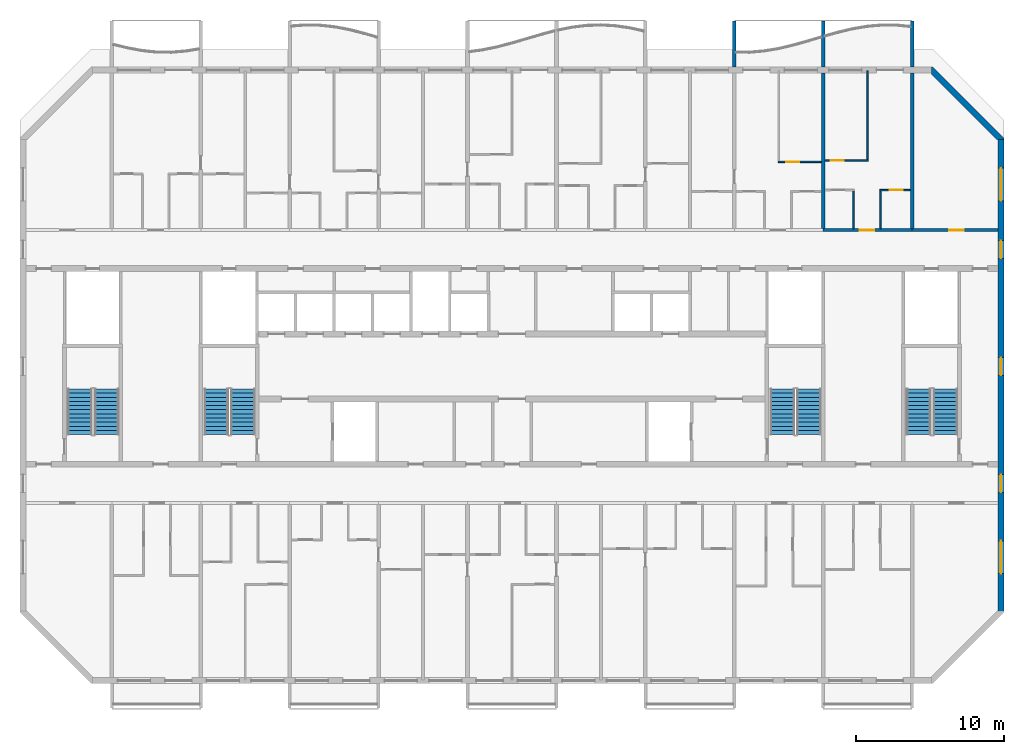
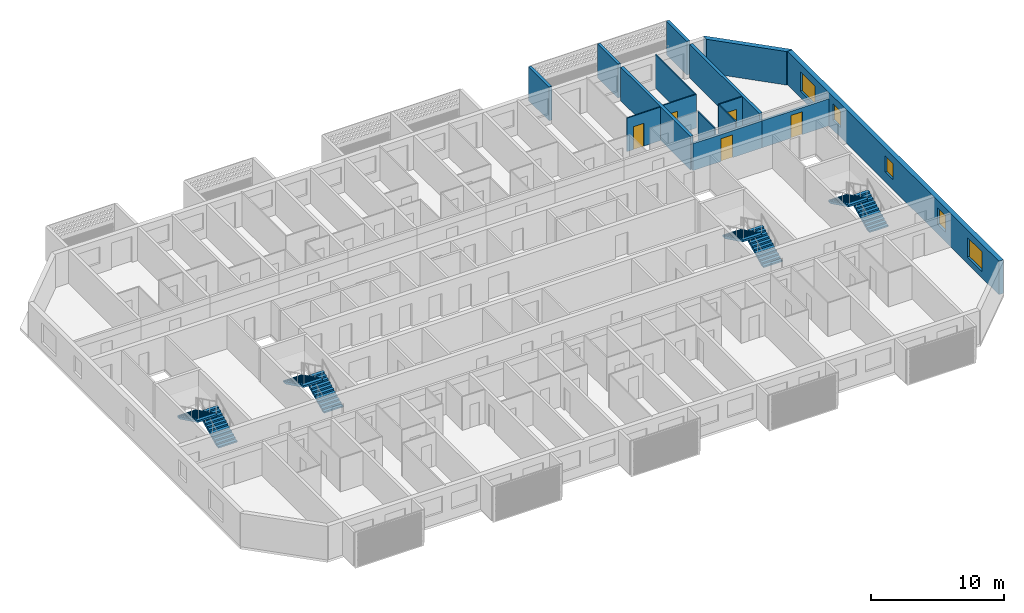
# One storey, part 11 of 26: 15 walls, 8 stair flights, 5 doors, 5 windows, 10 openings, 4 elements without a shape of their own.
"""IFC4 building model written with IfcOpenShell, lengths in metres."""

import ifcopenshell
import ifcopenshell.guid

model = None  # the IFC model being written
_history = None  # IfcOwnerHistory: only IFC2X3 demands one
_inside = {}  # id of a spatial element -> (the spatial element, [elements in it])
_under = {}  # id of a project, library or spatial element -> (it, [spatial elements below it])
_declared = {}  # id of a project -> (the project, [libraries it declares])
_typed = {}  # id of a type object -> (the type object, [elements of that type])
_made_of = {}  # id of a material, layer set ... -> (it, [elements and type objects made of it])


def new_model(schema):
    """Start an empty IFC model of exactly this schema.

    Asked for "IFC4X3", IfcOpenShell would pick the latest addendum, in which some entities
    have other attributes; the version numbers below select the first issue.
    IFC2X3 requires an IfcOwnerHistory on every rooted entity: one is made here for all.
    """
    global model, _history
    if schema == "IFC4X3":
        model = ifcopenshell.file(schema_version=(4, 3, 0, 0))
    else:
        model = ifcopenshell.file(schema=schema)
    _inside.clear()
    _under.clear()
    _declared.clear()
    _typed.clear()
    _made_of.clear()
    _history = None
    if model.schema == "IFC2X3":
        org = make("IfcOrganization", Name="unknown")
        user = make(
            "IfcPersonAndOrganization",
            ThePerson=make("IfcPerson", FamilyName="unknown"),
            TheOrganization=org,
        )
        app = make(
            "IfcApplication",
            ApplicationDeveloper=org,
            Version="unknown",
            ApplicationFullName="unknown",
            ApplicationIdentifier="unknown",
        )
        _history = make(
            "IfcOwnerHistory",
            OwningUser=user,
            OwningApplication=app,
            ChangeAction="ADDED",
            CreationDate=0,
        )
    return model


def make(cls, **values):
    """One entity of the class cls with the attributes given. An attribute that is None is left unset."""
    return model.create_entity(
        cls, **{name: value for name, value in values.items() if value is not None}
    )


def rooted(cls, **values):
    """An entity with a GlobalId (a new one), such as an element, a storey or a relation."""
    return make(cls, GlobalId=ifcopenshell.guid.new(), OwnerHistory=_history, **values)


def si_unit(unit_type, name, prefix=None):
    """IfcSIUnit, for example si_unit("LENGTHUNIT", "METRE", prefix="MILLI")."""
    return make("IfcSIUnit", UnitType=unit_type, Prefix=prefix, Name=name)


def assignment(units):
    """IfcUnitAssignment: the units of a project."""
    return None if units is None else make("IfcUnitAssignment", Units=units)


def point(xyz):
    """IfcCartesianPoint."""
    return None if xyz is None else make("IfcCartesianPoint", Coordinates=xyz)


def direction(xyz):
    """IfcDirection."""
    return None if xyz is None else make("IfcDirection", DirectionRatios=xyz)


def frame(location, z_axis=None, x_axis=None):
    """IfcAxis2Placement3D, a coordinate frame: its origin and axes. An axis left out is left unset."""
    return make(
        "IfcAxis2Placement3D",
        Location=point(location),
        Axis=direction(z_axis),
        RefDirection=direction(x_axis),
    )


def frame_2d(location, x_axis=None):
    """IfcAxis2Placement2D, a coordinate frame in the plane: its origin and x axis."""
    return make(
        "IfcAxis2Placement2D", Location=point(location), RefDirection=direction(x_axis)
    )


def origin():
    """The frame at (0, 0, 0) with its axes left unset."""
    return frame((0.0, 0.0, 0.0))


def place(relative_to, where):
    """IfcLocalPlacement: puts the frame where relative to a parent placement (None: the world)."""
    return make(
        "IfcLocalPlacement", PlacementRelTo=relative_to, RelativePlacement=where
    )


def context(
    kind, dimensions, precision=None, world=None, true_north=None, identifier=None
):
    """IfcGeometricRepresentationContext, for example the 3D "Model" context."""
    return make(
        "IfcGeometricRepresentationContext",
        ContextIdentifier=identifier,
        ContextType=kind,
        CoordinateSpaceDimension=dimensions,
        Precision=precision,
        WorldCoordinateSystem=world,
        TrueNorth=true_north,
    )


def subcontext(parent, identifier, kind, view, scale=None):
    """IfcGeometricRepresentationSubContext, for example "Body" below "Model"."""
    return make(
        "IfcGeometricRepresentationSubContext",
        ContextIdentifier=identifier,
        ContextType=kind,
        ParentContext=parent,
        TargetScale=scale,
        TargetView=view,
    )


def project(units=None, contexts=None):
    """IfcProject with its units and contexts."""
    return rooted(
        "IfcProject",
        Name="project",
        RepresentationContexts=contexts,
        UnitsInContext=assignment(units),
    )


def spatial(cls, under=None, at=None, **own):
    """A site, building, storey or space (cls), placed at a placement, below another one or the project."""
    s = rooted(cls, ObjectPlacement=at, **own)
    if under is not None:
        _under.setdefault(under.id(), (under, []))[1].append(s)
    return s


def polyline(points):
    """IfcPolyline through the points."""
    return make("IfcPolyline", Points=[point(p) for p in points])


def profile(cls, at=None, kind="AREA", **sizes):
    """A parametric profile (cls). Its sizes go by their IFC names, for example OverallWidth=200.0."""
    return make(cls, ProfileType=kind, Position=at, **sizes)


def rectangle(**sizes):
    """IfcRectangleProfileDef."""
    return profile("IfcRectangleProfileDef", **sizes)


def outline(outer, holes=None, kind="AREA"):
    """IfcArbitraryClosedProfileDef: a profile drawn as a closed curve; with holes, ...WithVoids."""
    if holes is None:
        return make("IfcArbitraryClosedProfileDef", ProfileType=kind, OuterCurve=outer)
    return make(
        "IfcArbitraryProfileDefWithVoids",
        ProfileType=kind,
        OuterCurve=outer,
        InnerCurves=holes,
    )


def extrude(swept, where, along, depth):
    """IfcExtrudedAreaSolid: the profile swept, set in the frame where, extruded along a direction by depth."""
    return make(
        "IfcExtrudedAreaSolid",
        SweptArea=swept,
        Position=where,
        ExtrudedDirection=direction(along),
        Depth=depth,
    )


def shape(context_of_items, identifier, shape_type, items):
    """IfcShapeRepresentation: the items that make up one representation, for example the "Body"."""
    return make(
        "IfcShapeRepresentation",
        ContextOfItems=context_of_items,
        RepresentationIdentifier=identifier,
        RepresentationType=shape_type,
        Items=items,
    )


def source(mapping_origin, context_of_items, identifier, shape_type, items):
    """IfcRepresentationMap: a shape defined once, which mapped items show again and again."""
    return make(
        "IfcRepresentationMap",
        MappingOrigin=mapping_origin,
        MappedRepresentation=shape(context_of_items, identifier, shape_type, items),
    )


def transform(
    local_origin,
    x_axis=None,
    y_axis=None,
    z_axis=None,
    scale=None,
    scale2=None,
    scale3=None,
    uniform=True,
):
    """IfcCartesianTransformationOperator3D, or its non-uniform kind. x_axis, y_axis, z_axis: its Axis1, 2, 3."""
    if uniform:
        return make(
            "IfcCartesianTransformationOperator3D",
            Axis1=direction(x_axis),
            Axis2=direction(y_axis),
            LocalOrigin=point(local_origin),
            Scale=scale,
            Axis3=direction(z_axis),
        )
    return make(
        "IfcCartesianTransformationOperator3DnonUniform",
        Axis1=direction(x_axis),
        Axis2=direction(y_axis),
        LocalOrigin=point(local_origin),
        Scale=scale,
        Axis3=direction(z_axis),
        Scale2=scale2,
        Scale3=scale3,
    )


def mapped(mapping_source, mapping_target):
    """IfcMappedItem: shows the shape of a source again, moved by a transform."""
    return make(
        "IfcMappedItem", MappingSource=mapping_source, MappingTarget=mapping_target
    )


def material(Name=None, Category=None):
    """IfcMaterial."""
    return make("IfcMaterial", Name=Name, Category=Category)


def layer(
    of_material, thickness, ventilated=None, Name=None, Category=None, Priority=None
):
    """IfcMaterialLayer: one layer of a wall or slab, of a material (None: an air gap)."""
    return make(
        "IfcMaterialLayer",
        Material=of_material,
        LayerThickness=thickness,
        IsVentilated=ventilated,
        Name=Name,
        Category=Category,
        Priority=Priority,
    )


def layer_set(layers, Name=None):
    """IfcMaterialLayerSet."""
    return make("IfcMaterialLayerSet", MaterialLayers=layers, LayerSetName=Name)


def made_of(thing, what):
    """Note that an element or type object is made of a material, layer set ...; save() writes the relation."""
    if what is not None:
        _made_of.setdefault(what.id(), (what, []))[1].append(thing)
    return thing


def type_object(cls, material=None, **own):
    """A type object (cls), such as IfcWallType, which elements share."""
    return made_of(rooted(cls, **own), material)


def element(
    cls,
    number,
    at=None,
    inside=None,
    cuts=None,
    type_object=None,
    material=None,
    context=None,
    identifier="Body",
    shape_type=None,
    held_by="IfcProductDefinitionShape",
    body=None,
    shapes=None,
    **own,
):
    """One element of the class cls, such as IfcWall. Its Tag is "e" and its number.

    at: its placement. inside: the storey or other place that contains it. cuts: it is an
    opening in that element (IfcRelVoidsElement). A single representation is given by context,
    identifier, shape_type and body (its items); several are given by shapes. held_by: the class
    of the entity that holds the representations. save() writes the other relations.
    """
    e = rooted(cls, Tag="e%d" % number, ObjectPlacement=at, **own)
    if body is not None:
        shapes = [shape(context, identifier, shape_type, body)]
    if shapes is not None:
        e.Representation = make(held_by, Representations=shapes)
    if inside is not None:
        _inside.setdefault(inside.id(), (inside, []))[1].append(e)
    if cuts is not None:
        rooted(
            "IfcRelVoidsElement", RelatingBuildingElement=cuts, RelatedOpeningElement=e
        )
    if type_object is not None:
        _typed.setdefault(type_object.id(), (type_object, []))[1].append(e)
    return made_of(e, material)


def fill(opening, filler):
    """IfcRelFillsElement: the door or window that sits in an opening."""
    return rooted(
        "IfcRelFillsElement",
        RelatingOpeningElement=opening,
        RelatedBuildingElement=filler,
    )


def aggregate(whole, parts):
    """IfcRelAggregates: a whole, such as a stair, and the parts it consists of."""
    return rooted("IfcRelAggregates", RelatingObject=whole, RelatedObjects=parts)


def save(model, path):
    """Write the relations noted so far, then the file.

    IfcRelAggregates (storeys below a building ...), IfcRelContainedInSpatialStructure (elements
    in a storey), IfcRelDefinesByType, IfcRelAssociatesMaterial and IfcRelDeclares: one each for
    every whole, place, type object, material and project.
    """
    for whole, parts in _under.values():
        aggregate(whole, parts)
    for where, things in _inside.values():
        rooted(
            "IfcRelContainedInSpatialStructure",
            RelatedElements=things,
            RelatingStructure=where,
        )
    for kind, things in _typed.values():
        rooted("IfcRelDefinesByType", RelatedObjects=things, RelatingType=kind)
    for what, things in _made_of.values():
        rooted("IfcRelAssociatesMaterial", RelatedObjects=things, RelatingMaterial=what)
    for by, libraries in _declared.values():
        rooted("IfcRelDeclares", RelatingContext=by, RelatedDefinitions=libraries)
    model.write(path)


model = new_model("IFC4")

# Units and contexts
model_context = context("Model", 3, precision=1e-05, world=origin(), true_north=direction((0.0, 1.0)))
body_context = subcontext(model_context, "Body", "Model", "MODEL_VIEW")
ifc_project = project(units=[si_unit("LENGTHUNIT", "METRE"), si_unit("AREAUNIT", "SQUARE_METRE"), si_unit("VOLUMEUNIT", "CUBIC_METRE"), si_unit("PLANEANGLEUNIT", "RADIAN"), si_unit("MASSUNIT", "GRAM", prefix="KILO")], contexts=[model_context])

# Site, building, storey
site_placement = place(None, origin())
site = spatial("IfcSite", under=ifc_project, at=site_placement, CompositionType="ELEMENT")
building_placement = place(site_placement, origin())
building = spatial("IfcBuilding", under=site, at=building_placement, Name="Poui Terraces", CompositionType="ELEMENT")
storey_placement = place(building_placement, frame((0.0, 0.0, 171.89990234375)))
storey = spatial("IfcBuildingStorey", under=building, at=storey_placement, Name="L47", CompositionType="ELEMENT", Elevation=171.89990234375)

# Wall, opening, door
ifc_material_1 = material(Name="Concrete 50 MPa", Category="concrete")
ifc_layer_1 = layer(ifc_material_1, 0.199951171875)
ifc_layer_set_1 = layer_set([ifc_layer_1], Name="Concrete 50 MPa")
wall_type_1 = type_object("IfcWallType", Name="CORRIDOR WALL 200 50MPa", PredefinedType="SHEAR", material=ifc_layer_set_1)
wall_1_placement = place(storey_placement, frame((72.0, 30.39990234375, 0.0), z_axis=(0.0, 0.0, 1.0), x_axis=(1.0, 0.0, 0.0)))
wall_1 = element("IfcWall", 1, at=wall_1_placement, inside=storey, type_object=wall_type_1, Name="CORRIDOR WALL LINE E BAY 10", PredefinedType="SHEAR", context=body_context, shape_type="SweptSolid", body=[
    extrude(rectangle(XDim=6.0, YDim=0.199951171875, at=frame_2d((3.0, 0.0))), origin(), (0.0, 0.0, 1.0), 2.47998046875),
])
opening_1_placement = place(wall_1_placement, frame((2.449951171875, 0.0, 0.0)))
opening_1 = element("IfcOpeningElement", 2, at=opening_1_placement, cuts=wall_1, Name="Opening FD30S", PredefinedType="OPENING", context=body_context, shape_type="SweptSolid", body=[
    extrude(rectangle(XDim=1.0, YDim=2.10009765625, at=frame_2d((0.5, 1.050048828125))), frame((0.0, 0.10986328125, 0.0), z_axis=(0.0, -1.0, 0.0), x_axis=(1.0, 0.0, 0.0)), (0.0, 0.0, 1.0), 0.219970703125),
])
ifc_material_2 = material(Name="Steel fire door", Category="steel")
door_type_1 = type_object("IfcDoorType", Name="FLAT ENTRANCE DOOR 1000 X 2100", OperationType="NOTDEFINED", PredefinedType="DOOR", material=ifc_material_2)
door_1_placement = place(opening_1_placement, origin())
door_1 = element("IfcDoor", 3, at=door_1_placement, inside=storey, type_object=door_type_1, Name="FLAT ENTRANCE DOOR 059", OperationType="SINGLE_SWING_LEFT", OverallHeight=2.10009765625, OverallWidth=1.0, PredefinedType="DOOR", context=body_context, shape_type="SweptSolid", body=[
    extrude(rectangle(XDim=1.0, YDim=2.10009765625, at=frame_2d((0.5, 1.050048828125))), frame((0.0, 0.02490234375, 0.0), z_axis=(0.0, -1.0, 0.0), x_axis=(1.0, 0.0, 0.0)), (0.0, 0.0, 1.0), 0.050048828125),
])
fill(opening_1, door_1)

wall_2_placement = place(storey_placement, frame((78.0, 30.39990234375, 0.0), z_axis=(0.0, 0.0, 1.0), x_axis=(1.0, 0.0, 0.0)))
wall_2 = element("IfcWall", 4, at=wall_2_placement, inside=storey, type_object=wall_type_1, Name="CORRIDOR WALL LINE E BAY 11", PredefinedType="SHEAR", context=body_context, shape_type="SweptSolid", body=[
    extrude(rectangle(XDim=5.800048828125, YDim=0.199951171875, at=frame_2d((2.89990234375, 0.0))), origin(), (0.0, 0.0, 1.0), 2.47998046875),
])
opening_2_placement = place(wall_2_placement, frame((2.5, 0.0, 0.0)))
opening_2 = element("IfcOpeningElement", 5, at=opening_2_placement, cuts=wall_2, Name="Opening D100", PredefinedType="OPENING", context=body_context, shape_type="SweptSolid", body=[
    extrude(rectangle(XDim=1.0, YDim=2.10009765625, at=frame_2d((0.5, 1.050048828125))), frame((0.0, 0.10986328125, 0.0), z_axis=(0.0, -1.0, 0.0), x_axis=(1.0, 0.0, 0.0)), (0.0, 0.0, 1.0), 0.219970703125),
])
ifc_material_3 = material(Name="Solid core timber door", Category="wood")
door_type_2 = type_object("IfcDoorType", Name="ACCESSIBLE INTERNAL DOOR 1000 X 2100", OperationType="NOTDEFINED", PredefinedType="DOOR", material=ifc_material_3)
door_2_placement = place(opening_2_placement, origin())
door_2 = element("IfcDoor", 6, at=door_2_placement, inside=storey, type_object=door_type_2, Name="ACCESSIBLE INTERNAL DOOR 061", OperationType="SINGLE_SWING_LEFT", OverallHeight=2.10009765625, OverallWidth=1.0, PredefinedType="DOOR", context=body_context, shape_type="SweptSolid", body=[
    extrude(rectangle(XDim=1.0, YDim=2.10009765625, at=frame_2d((0.5, 1.050048828125))), frame((0.0, 0.02490234375, 0.0), z_axis=(0.0, -1.0, 0.0), x_axis=(1.0, 0.0, 0.0)), (0.0, 0.0, 1.0), 0.050048828125),
])
fill(opening_2, door_2)

# Walls
ifc_layer_2 = layer(ifc_material_1, 0.25)
ifc_layer_set_2 = layer_set([ifc_layer_2], Name="Concrete 50 MPa")
wall_type_2 = type_object("IfcWallType", Name="CROSS WALL 250 50MPa", PredefinedType="SHEAR", material=ifc_layer_set_2)
for number, where, z_axis, x_axis, name in (
    (7, (72.0, 30.5, 0.0), (0.0, 0.0, 1.0), (0.0, 1.0, 0.0), "CROSS WALL LINE 13 NORTH"),
    (8, (78.0, 30.5, 0.0), (0.0, 0.0, 1.0), (0.0, 1.0, 0.0), "CROSS WALL LINE 14 NORTH"),
):
    element("IfcWall", number, at=place(storey_placement, frame(where, z_axis=z_axis, x_axis=x_axis)), inside=storey, type_object=wall_type_2, Name=name, PredefinedType="SHEAR", context=body_context, shape_type="SweptSolid", body=[
        extrude(rectangle(XDim=10.5, YDim=0.25, at=frame_2d((5.25, 0.0))), origin(), (0.0, 0.0, 1.0), 3.080078125),
    ])

# Wall, openings, windows
ifc_layer_3 = layer(ifc_material_1, 0.39990234375)
ifc_layer_set_3 = layer_set([ifc_layer_3], Name="Concrete 50 MPa")
wall_type_3 = type_object("IfcWallType", Name="END WALL 400 50MPa", PredefinedType="SHEAR", material=ifc_layer_set_3)
wall_3_placement = place(storey_placement, frame((84.0, 4.682861328125, 0.0), z_axis=(0.0, 0.0, 1.0), x_axis=(0.0, 1.0, 0.0)))
wall_3 = element("IfcWall", 9, at=wall_3_placement, inside=storey, type_object=wall_type_3, Name="END WALL EAST", PredefinedType="SHEAR", context=body_context, shape_type="SweptSolid", body=[
    extrude(rectangle(XDim=31.834228515625, YDim=0.39990234375, at=frame_2d((15.9169921875, 0.0))), origin(), (0.0, 0.0, 1.0), 3.080078125),
])
opening_3_placement = place(wall_3_placement, frame((23.817138671875, 0.0, 0.89990234375)))
opening_3 = element("IfcOpeningElement", 10, at=opening_3_placement, cuts=wall_3, Name="Opening W2", PredefinedType="OPENING", context=body_context, shape_type="SweptSolid", body=[
    extrude(rectangle(XDim=1.199951171875, YDim=1.5, at=frame_2d((0.60009765625, 0.75))), frame((0.0, 0.2099609375, 0.0), z_axis=(0.0, -1.0, 0.0), x_axis=(1.0, 0.0, 0.0)), (0.0, 0.0, 1.0), 0.419921875),
])
opening_4_placement = place(wall_3_placement, frame((8.01708984375, 0.0, 0.89990234375)))
opening_4 = element("IfcOpeningElement", 11, at=opening_4_placement, cuts=wall_3, Name="Opening W2", PredefinedType="OPENING", context=body_context, shape_type="SweptSolid", body=[
    extrude(rectangle(XDim=1.199951171875, YDim=1.5, at=frame_2d((0.60009765625, 0.75))), frame((0.0, 0.2099609375, 0.0), z_axis=(0.0, -1.0, 0.0), x_axis=(1.0, 0.0, 0.0)), (0.0, 0.0, 1.0), 0.419921875),
])
opening_5_placement = place(wall_3_placement, frame((27.693603515625, 0.0, 0.60009765625)))
opening_5 = element("IfcOpeningElement", 12, at=opening_5_placement, cuts=wall_3, Name="Opening W3", PredefinedType="OPENING", context=body_context, shape_type="SweptSolid", body=[
    extrude(rectangle(XDim=2.199951171875, YDim=1.800048828125, at=frame_2d((1.10009765625, 0.89990234375))), frame((0.0, 0.2099609375, 0.0), z_axis=(0.0, -1.0, 0.0), x_axis=(1.0, 0.0, 0.0)), (0.0, 0.0, 1.0), 0.419921875),
])
opening_6_placement = place(wall_3_placement, frame((2.541015625, 0.0, 0.60009765625)))
opening_6 = element("IfcOpeningElement", 13, at=opening_6_placement, cuts=wall_3, Name="Opening W3", PredefinedType="OPENING", context=body_context, shape_type="SweptSolid", body=[
    extrude(rectangle(XDim=2.199951171875, YDim=1.800048828125, at=frame_2d((1.10009765625, 0.89990234375))), frame((0.0, 0.2099609375, 0.0), z_axis=(0.0, -1.0, 0.0), x_axis=(1.0, 0.0, 0.0)), (0.0, 0.0, 1.0), 0.419921875),
])
opening_7_placement = place(wall_3_placement, frame((15.917236328125, 0.0, 0.89990234375)))
opening_7 = element("IfcOpeningElement", 14, at=opening_7_placement, cuts=wall_3, Name="Opening W2", PredefinedType="OPENING", context=body_context, shape_type="SweptSolid", body=[
    extrude(rectangle(XDim=1.199951171875, YDim=1.5, at=frame_2d((0.60009765625, 0.75))), frame((0.0, 0.2099609375, 0.0), z_axis=(0.0, -1.0, 0.0), x_axis=(1.0, 0.0, 0.0)), (0.0, 0.0, 1.0), 0.419921875),
])
ifc_material_4 = material(Name="Clear glass in aluminium frame", Category="aluminium")
window_type_1 = type_object("IfcWindowType", Name="WINDOW 1200X1500", PartitioningType="SINGLE_PANEL", PredefinedType="WINDOW", material=ifc_material_4)
window_1_placement = place(opening_3_placement, origin())
window_1 = element("IfcWindow", 15, at=window_1_placement, inside=storey, type_object=window_type_1, Name="W2 WINDOW", OverallHeight=1.5, OverallWidth=1.199951171875, PartitioningType="SINGLE_PANEL", PredefinedType="WINDOW", context=body_context, shape_type="SweptSolid", body=[
    extrude(rectangle(XDim=1.199951171875, YDim=1.5, at=frame_2d((0.60009765625, 0.75))), frame((0.0, 0.030029296875, 0.0), z_axis=(0.0, -1.0, 0.0), x_axis=(1.0, 0.0, 0.0)), (0.0, 0.0, 1.0), 0.06005859375),
])
fill(opening_3, window_1)
window_2_placement = place(opening_4_placement, origin())
window_2 = element("IfcWindow", 16, at=window_2_placement, inside=storey, type_object=window_type_1, Name="W2 WINDOW", OverallHeight=1.5, OverallWidth=1.199951171875, PartitioningType="SINGLE_PANEL", PredefinedType="WINDOW", context=body_context, shape_type="SweptSolid", body=[
    extrude(rectangle(XDim=1.199951171875, YDim=1.5, at=frame_2d((0.60009765625, 0.75))), frame((0.0, 0.030029296875, 0.0), z_axis=(0.0, -1.0, 0.0), x_axis=(1.0, 0.0, 0.0)), (0.0, 0.0, 1.0), 0.06005859375),
])
fill(opening_4, window_2)
window_3_placement = place(opening_7_placement, origin())
window_3 = element("IfcWindow", 17, at=window_3_placement, inside=storey, type_object=window_type_1, Name="W2 WINDOW", OverallHeight=1.5, OverallWidth=1.199951171875, PartitioningType="SINGLE_PANEL", PredefinedType="WINDOW", context=body_context, shape_type="SweptSolid", body=[
    extrude(rectangle(XDim=1.199951171875, YDim=1.5, at=frame_2d((0.60009765625, 0.75))), frame((0.0, 0.030029296875, 0.0), z_axis=(0.0, -1.0, 0.0), x_axis=(1.0, 0.0, 0.0)), (0.0, 0.0, 1.0), 0.06005859375),
])
fill(opening_7, window_3)
window_type_2 = type_object("IfcWindowType", Name="WINDOW 2200X1800", PartitioningType="DOUBLE_PANEL_HORIZONTAL", PredefinedType="WINDOW", material=ifc_material_4)
window_4_placement = place(opening_5_placement, origin())
window_4 = element("IfcWindow", 18, at=window_4_placement, inside=storey, type_object=window_type_2, Name="W3 WINDOW", OverallHeight=1.800048828125, OverallWidth=2.199951171875, PartitioningType="DOUBLE_PANEL_HORIZONTAL", PredefinedType="WINDOW", context=body_context, shape_type="SweptSolid", body=[
    extrude(rectangle(XDim=2.199951171875, YDim=1.800048828125, at=frame_2d((1.10009765625, 0.89990234375))), frame((0.0, 0.030029296875, 0.0), z_axis=(0.0, -1.0, 0.0), x_axis=(1.0, 0.0, 0.0)), (0.0, 0.0, 1.0), 0.06005859375),
])
fill(opening_5, window_4)
window_5_placement = place(opening_6_placement, origin())
window_5 = element("IfcWindow", 19, at=window_5_placement, inside=storey, type_object=window_type_2, Name="W3 WINDOW", OverallHeight=1.800048828125, OverallWidth=2.199951171875, PartitioningType="DOUBLE_PANEL_HORIZONTAL", PredefinedType="WINDOW", context=body_context, shape_type="SweptSolid", body=[
    extrude(rectangle(XDim=2.199951171875, YDim=1.800048828125, at=frame_2d((1.10009765625, 0.89990234375))), frame((0.0, 0.030029296875, 0.0), z_axis=(0.0, -1.0, 0.0), x_axis=(1.0, 0.0, 0.0)), (0.0, 0.0, 1.0), 0.06005859375),
])
fill(opening_6, window_5)

# Wall, opening, door
ifc_material_5 = material(Name="Plasterboard partition")
ifc_layer_4 = layer(ifc_material_5, 0.10009765625)
ifc_layer_set_4 = layer_set([ifc_layer_4], Name="Plasterboard partition")
wall_type_4 = type_object("IfcWallType", Name="FLAT PARTITION 100", PredefinedType="PARTITIONING", material=ifc_layer_set_4)
wall_4_placement = place(storey_placement, frame((75.800048828125, 33.10009765625, 0.0), z_axis=(0.0, 0.0, 1.0), x_axis=(1.0, 0.0, 0.0)))
wall_4 = element("IfcWall", 20, at=wall_4_placement, inside=storey, type_object=wall_type_4, Name="FLAT PARTITION 100", PredefinedType="PARTITIONING", context=body_context, shape_type="SweptSolid", body=[
    extrude(rectangle(XDim=2.06494140625, YDim=0.10009765625, at=frame_2d((1.032470703125, 0.0))), origin(), (0.0, 0.0, 1.0), 3.080078125),
])
opening_8_placement = place(wall_4_placement, frame((0.675048828125, 0.0, 0.0)))
opening_8 = element("IfcOpeningElement", 21, at=opening_8_placement, cuts=wall_4, Name="Opening D90", PredefinedType="OPENING", context=body_context, shape_type="SweptSolid", body=[
    extrude(rectangle(XDim=0.89990234375, YDim=2.10009765625, at=frame_2d((0.449951171875, 1.050048828125))), frame((0.0, 0.06005859375, 0.0), z_axis=(0.0, -1.0, 0.0), x_axis=(1.0, 0.0, 0.0)), (0.0, 0.0, 1.0), 0.1201171875),
])
door_type_3 = type_object("IfcDoorType", Name="INTERNAL DOOR 900 X 2100", OperationType="NOTDEFINED", PredefinedType="DOOR", material=ifc_material_3)
door_3_placement = place(opening_8_placement, frame((0.89990234375, 0.0, 0.0), z_axis=(0.0, 0.0, 1.0), x_axis=(-1.0, 0.0, 0.0)))
door_3 = element("IfcDoor", 22, at=door_3_placement, inside=storey, type_object=door_type_3, Name="INTERNAL DOOR 060", OperationType="SINGLE_SWING_LEFT", OverallHeight=2.10009765625, OverallWidth=0.89990234375, PredefinedType="DOOR", context=body_context, shape_type="SweptSolid", body=[
    extrude(rectangle(XDim=0.89990234375, YDim=2.10009765625, at=frame_2d((0.449951171875, 1.050048828125))), frame((0.0, 0.02490234375, 0.0), z_axis=(0.0, -1.0, 0.0), x_axis=(1.0, 0.0, 0.0)), (0.0, 0.0, 1.0), 0.050048828125),
])
fill(opening_8, door_3)

wall_5_placement = place(storey_placement, frame((68.949951171875, 35.0, 0.0), z_axis=(0.0, 0.0, 1.0), x_axis=(1.0, 0.0, 0.0)))
wall_5 = element("IfcWall", 23, at=wall_5_placement, inside=storey, type_object=wall_type_4, Name="FLAT PARTITION 100", PredefinedType="PARTITIONING", context=body_context, shape_type="SweptSolid", body=[
    extrude(rectangle(XDim=2.9150390625, YDim=0.10009765625, at=frame_2d((1.45751953125, 0.0))), origin(), (0.0, 0.0, 1.0), 3.080078125),
])
opening_9_placement = place(wall_5_placement, frame((0.550048828125, 0.0, 0.0)))
opening_9 = element("IfcOpeningElement", 24, at=opening_9_placement, cuts=wall_5, Name="Opening D90", PredefinedType="OPENING", context=body_context, shape_type="SweptSolid", body=[
    extrude(rectangle(XDim=0.89990234375, YDim=2.10009765625, at=frame_2d((0.449951171875, 1.050048828125))), frame((0.0, 0.06005859375, 0.0), z_axis=(0.0, -1.0, 0.0), x_axis=(1.0, 0.0, 0.0)), (0.0, 0.0, 1.0), 0.1201171875),
])
door_4_placement = place(opening_9_placement, frame((0.89990234375, 0.0, 0.0), z_axis=(0.0, 0.0, 1.0), x_axis=(-1.0, 0.0, 0.0)))
door_4 = element("IfcDoor", 25, at=door_4_placement, inside=storey, type_object=door_type_3, Name="INTERNAL DOOR 055", OperationType="SINGLE_SWING_LEFT", OverallHeight=2.10009765625, OverallWidth=0.89990234375, PredefinedType="DOOR", context=body_context, shape_type="SweptSolid", body=[
    extrude(rectangle(XDim=0.89990234375, YDim=2.10009765625, at=frame_2d((0.449951171875, 1.050048828125))), frame((0.0, 0.02490234375, 0.0), z_axis=(0.0, -1.0, 0.0), x_axis=(1.0, 0.0, 0.0)), (0.0, 0.0, 1.0), 0.050048828125),
])
fill(opening_9, door_4)

wall_6_placement = place(storey_placement, frame((72.135009765625, 35.10009765625, 0.0), z_axis=(0.0, 0.0, 1.0), x_axis=(1.0, 0.0, 0.0)))
wall_6 = element("IfcWall", 26, at=wall_6_placement, inside=storey, type_object=wall_type_4, Name="FLAT PARTITION 100", PredefinedType="PARTITIONING", context=body_context, shape_type="SweptSolid", body=[
    extrude(rectangle(XDim=2.9150390625, YDim=0.10009765625, at=frame_2d((1.45751953125, 0.0))), origin(), (0.0, 0.0, 1.0), 3.080078125),
])
opening_10_placement = place(wall_6_placement, frame((0.364990234375, 0.0, 0.0)))
opening_10 = element("IfcOpeningElement", 27, at=opening_10_placement, cuts=wall_6, Name="Opening D90", PredefinedType="OPENING", context=body_context, shape_type="SweptSolid", body=[
    extrude(rectangle(XDim=0.89990234375, YDim=2.10009765625, at=frame_2d((0.449951171875, 1.050048828125))), frame((0.0, 0.06005859375, 0.0), z_axis=(0.0, -1.0, 0.0), x_axis=(1.0, 0.0, 0.0)), (0.0, 0.0, 1.0), 0.1201171875),
])
door_5_placement = place(opening_10_placement, frame((0.89990234375, 0.0, 0.0), z_axis=(0.0, 0.0, 1.0), x_axis=(-1.0, 0.0, 0.0)))
door_5 = element("IfcDoor", 28, at=door_5_placement, inside=storey, type_object=door_type_3, Name="INTERNAL DOOR 057", OperationType="SINGLE_SWING_LEFT", OverallHeight=2.10009765625, OverallWidth=0.89990234375, PredefinedType="DOOR", context=body_context, shape_type="SweptSolid", body=[
    extrude(rectangle(XDim=0.89990234375, YDim=2.10009765625, at=frame_2d((0.449951171875, 1.050048828125))), frame((0.0, 0.02490234375, 0.0), z_axis=(0.0, -1.0, 0.0), x_axis=(1.0, 0.0, 0.0)), (0.0, 0.0, 1.0), 0.050048828125),
])
fill(opening_10, door_5)

# Walls
wall_7_placement = place(storey_placement, frame((74.050048828125, 30.510009765625, 0.0), z_axis=(0.0, 0.0, 1.0), x_axis=(0.0, 1.0, 0.0)))
element("IfcWall", 29, at=wall_7_placement, inside=storey, type_object=wall_type_4, Name="FLAT PARTITION 100", PredefinedType="PARTITIONING", context=body_context, shape_type="SweptSolid", body=[
    extrude(rectangle(XDim=2.5400390625, YDim=0.10009765625, at=frame_2d((1.27001953125, 0.0))), origin(), (0.0, 0.0, 1.0), 3.080078125),
])
wall_8_placement = place(storey_placement, frame((75.0, 35.14990234375, 0.0), z_axis=(0.0, 0.0, 1.0), x_axis=(0.0, 1.0, 0.0)))
element("IfcWall", 30, at=wall_8_placement, inside=storey, type_object=wall_type_4, Name="FLAT PARTITION 100", PredefinedType="PARTITIONING", context=body_context, shape_type="SweptSolid", body=[
    extrude(rectangle(XDim=5.989990234375, YDim=0.10009765625, at=frame_2d((2.9951171875, 0.0))), origin(), (0.0, 0.0, 1.0), 3.080078125),
])
wall_9_placement = place(storey_placement, frame((75.85009765625, 30.510009765625, 0.0), z_axis=(0.0, 0.0, 1.0), x_axis=(0.0, 1.0, 0.0)))
element("IfcWall", 31, at=wall_9_placement, inside=storey, type_object=wall_type_4, Name="FLAT PARTITION 100", PredefinedType="PARTITIONING", context=body_context, shape_type="SweptSolid", body=[
    extrude(rectangle(XDim=2.5400390625, YDim=0.10009765625, at=frame_2d((1.27001953125, 0.0))), origin(), (0.0, 0.0, 1.0), 3.080078125),
])
ifc_material_6 = material(Name="Precast concrete 40 MPa", Category="concrete")
ifc_layer_5 = layer(ifc_material_6, 0.39990234375)
ifc_layer_set_5 = layer_set([ifc_layer_5], Name="Precast concrete 40 MPa")
wall_type_5 = type_object("IfcWallType", Name="TERRACOTTA CLAD CHAMFER WALL 400", PredefinedType="STANDARD", material=ifc_layer_set_5)
wall_10_placement = place(storey_placement, origin())
element("IfcWall", 32, at=wall_10_placement, inside=storey, type_object=wall_type_5, Name="CHAMFER WALL CH03", PredefinedType="STANDARD", context=body_context, shape_type="SweptSolid", body=[
    extrude(outline(polyline([(84.199951171875, 36.51708984375), (84.199951171875, 36.60009765625), (79.39990234375, 41.39990234375), (79.317138671875, 41.39990234375), (79.317138671875, 40.917236328125), (83.71728515625, 36.51708984375), (84.199951171875, 36.51708984375)])), origin(), (0.0, 0.0, 1.0), 3.080078125),
])
ifc_layer_6 = layer(ifc_material_6, 0.25)
ifc_layer_set_6 = layer_set([ifc_layer_6], Name="Precast concrete 40 MPa")
wall_type_6 = type_object("IfcWallType", Name="BALCONY FIN 250", PredefinedType="STANDARD", material=ifc_layer_set_6)
shared_shape = source(origin(), body_context, "Body", "SweptSolid", [
    extrude(outline(polyline([(0.0, 0.0), (0.25, 0.0), (0.25, 3.10009765625), (0.0, 3.10009765625), (0.0, 0.0)])), origin(), (0.0, 0.0, 1.0), 3.10009765625),
])
for number, where, name in (
    (33, (65.875, 41.39990234375, 0.0), "BALCONY FIN"),
    (34, (71.875, 41.39990234375, 0.0), "BALCONY FIN"),
    (35, (77.875, 41.39990234375, 0.0), "BALCONY FIN"),
):
    element("IfcWall", number, at=place(storey_placement, frame(where)), inside=storey, type_object=wall_type_6, Name=name, PredefinedType="STANDARD", context=body_context, shape_type="MappedRepresentation", body=[
        mapped(shared_shape, transform((0.0, 0.0, 0.0))),
    ])

# Stair, stair flights
stair_type = type_object("IfcStairType", Name="EXIT STAIR 1650 50 MPA", PredefinedType="HALF_TURN_STAIR", material=ifc_material_1)
stair_1_placement = place(storey_placement, origin())
stair_1 = element("IfcStair", 36, at=stair_1_placement, inside=storey, type_object=stair_type, Name="L47 CORE STAIR EAST", PredefinedType="HALF_TURN_STAIR")
ifc_layer_7 = layer(ifc_material_1, 0.14990234375)
ifc_layer_set_7 = layer_set([ifc_layer_7], Name="Concrete 50 MPa")
stair_flight_type = type_object("IfcStairFlightType", Name="STAIR FLIGHT 12 RISERS 138 RISE 50 MPA", PredefinedType="STRAIGHT", material=ifc_layer_set_7)
stair_flight_1_placement = place(storey_placement, frame((71.050048828125, 16.60009765625, 0.0), z_axis=(0.0, 0.0, 1.0), x_axis=(0.0, 1.0, 0.0)))
stair_flight_1 = element("IfcStairFlight", 37, at=stair_flight_1_placement, type_object=stair_flight_type, Name="ST-CE flight 1", NumberOfRisers=12, NumberOfTreads=11, PredefinedType="STRAIGHT", RiserHeight=0.1375, TreadLength=0.28, context=body_context, shape_type="SweptSolid", body=[
    extrude(outline(polyline([(0.0, 0.0), (0.0, 0.137451171875), (0.280029296875, 0.137451171875), (0.280029296875, 0.27490234375), (0.56005859375, 0.27490234375), (0.56005859375, 0.41259765625), (0.840087890625, 0.41259765625), (0.840087890625, 0.550048828125), (1.1201171875, 0.550048828125), (1.1201171875, 0.6875), (1.39990234375, 0.6875), (1.39990234375, 0.824951171875), (1.679931640625, 0.824951171875), (1.679931640625, 0.96240234375), (1.9599609375, 0.96240234375), (1.9599609375, 1.10009765625), (2.239990234375, 1.10009765625), (2.239990234375, 1.237548828125), (2.52001953125, 1.237548828125), (2.52001953125, 1.375), (2.800048828125, 1.375), (2.800048828125, 1.512451171875), (3.080078125, 1.512451171875), (3.080078125, 1.64990234375), (3.080078125, 1.345458984375), (0.340087890625, 0.0), (0.0, 0.0)])), frame((0.0, 0.824951171875, 0.0), z_axis=(0.0, -1.0, 0.0), x_axis=(1.0, 0.0, 0.0)), (0.0, 0.0, 1.0), 1.64990234375),
])
stair_flight_2_placement = place(storey_placement, frame((69.25, 19.679931640625, 1.650146484375), z_axis=(0.0, 0.0, 1.0), x_axis=(0.0, -1.0, 0.0)))
stair_flight_2 = element("IfcStairFlight", 38, at=stair_flight_2_placement, type_object=stair_flight_type, Name="ST-CE flight 2", NumberOfRisers=12, NumberOfTreads=11, PredefinedType="STRAIGHT", RiserHeight=0.1375, TreadLength=0.28, context=body_context, shape_type="SweptSolid", body=[
    extrude(outline(polyline([(0.0, 0.0), (0.0, 0.137451171875), (0.280029296875, 0.137451171875), (0.280029296875, 0.27490234375), (0.56005859375, 0.27490234375), (0.56005859375, 0.41259765625), (0.840087890625, 0.41259765625), (0.840087890625, 0.550048828125), (1.1201171875, 0.550048828125), (1.1201171875, 0.6875), (1.39990234375, 0.6875), (1.39990234375, 0.824951171875), (1.679931640625, 0.824951171875), (1.679931640625, 0.96240234375), (1.9599609375, 0.96240234375), (1.9599609375, 1.10009765625), (2.239990234375, 1.10009765625), (2.239990234375, 1.237548828125), (2.52001953125, 1.237548828125), (2.52001953125, 1.375), (2.800048828125, 1.375), (2.800048828125, 1.512451171875), (3.080078125, 1.512451171875), (3.080078125, 1.64990234375), (3.080078125, 1.345458984375), (0.340087890625, 0.0), (0.0, 0.0)])), frame((0.0, 0.824951171875, 0.0), z_axis=(0.0, -1.0, 0.0), x_axis=(1.0, 0.0, 0.0)), (0.0, 0.0, 1.0), 1.64990234375),
])
aggregate(stair_1, [stair_flight_1, stair_flight_2])

stair_2_placement = place(storey_placement, origin())
stair_2 = element("IfcStair", 39, at=stair_2_placement, inside=storey, type_object=stair_type, Name="L47 CORE STAIR WEST", PredefinedType="HALF_TURN_STAIR")
stair_flight_3_placement = place(storey_placement, frame((32.85009765625, 16.60009765625, 0.0), z_axis=(0.0, 0.0, 1.0), x_axis=(0.0, 1.0, 0.0)))
stair_flight_3 = element("IfcStairFlight", 40, at=stair_flight_3_placement, type_object=stair_flight_type, Name="ST-CW flight 1", NumberOfRisers=12, NumberOfTreads=11, PredefinedType="STRAIGHT", RiserHeight=0.1375, TreadLength=0.28, context=body_context, shape_type="SweptSolid", body=[
    extrude(outline(polyline([(0.0, 0.0), (0.0, 0.137451171875), (0.280029296875, 0.137451171875), (0.280029296875, 0.27490234375), (0.56005859375, 0.27490234375), (0.56005859375, 0.41259765625), (0.840087890625, 0.41259765625), (0.840087890625, 0.550048828125), (1.1201171875, 0.550048828125), (1.1201171875, 0.6875), (1.39990234375, 0.6875), (1.39990234375, 0.824951171875), (1.679931640625, 0.824951171875), (1.679931640625, 0.96240234375), (1.9599609375, 0.96240234375), (1.9599609375, 1.10009765625), (2.239990234375, 1.10009765625), (2.239990234375, 1.237548828125), (2.52001953125, 1.237548828125), (2.52001953125, 1.375), (2.800048828125, 1.375), (2.800048828125, 1.512451171875), (3.080078125, 1.512451171875), (3.080078125, 1.64990234375), (3.080078125, 1.345458984375), (0.340087890625, 0.0), (0.0, 0.0)])), frame((0.0, 0.824951171875, 0.0), z_axis=(0.0, -1.0, 0.0), x_axis=(1.0, 0.0, 0.0)), (0.0, 0.0, 1.0), 1.64990234375),
])
stair_flight_4_placement = place(storey_placement, frame((31.050048828125, 19.679931640625, 1.650146484375), z_axis=(0.0, 0.0, 1.0), x_axis=(0.0, -1.0, 0.0)))
stair_flight_4 = element("IfcStairFlight", 41, at=stair_flight_4_placement, type_object=stair_flight_type, Name="ST-CW flight 2", NumberOfRisers=12, NumberOfTreads=11, PredefinedType="STRAIGHT", RiserHeight=0.1375, TreadLength=0.28, context=body_context, shape_type="SweptSolid", body=[
    extrude(outline(polyline([(0.0, 0.0), (0.0, 0.137451171875), (0.280029296875, 0.137451171875), (0.280029296875, 0.27490234375), (0.56005859375, 0.27490234375), (0.56005859375, 0.41259765625), (0.840087890625, 0.41259765625), (0.840087890625, 0.550048828125), (1.1201171875, 0.550048828125), (1.1201171875, 0.6875), (1.39990234375, 0.6875), (1.39990234375, 0.824951171875), (1.679931640625, 0.824951171875), (1.679931640625, 0.96240234375), (1.9599609375, 0.96240234375), (1.9599609375, 1.10009765625), (2.239990234375, 1.10009765625), (2.239990234375, 1.237548828125), (2.52001953125, 1.237548828125), (2.52001953125, 1.375), (2.800048828125, 1.375), (2.800048828125, 1.512451171875), (3.080078125, 1.512451171875), (3.080078125, 1.64990234375), (3.080078125, 1.345458984375), (0.340087890625, 0.0), (0.0, 0.0)])), frame((0.0, 0.824951171875, 0.0), z_axis=(0.0, -1.0, 0.0), x_axis=(1.0, 0.0, 0.0)), (0.0, 0.0, 1.0), 1.64990234375),
])
aggregate(stair_2, [stair_flight_3, stair_flight_4])

stair_3_placement = place(storey_placement, origin())
stair_3 = element("IfcStair", 42, at=stair_3_placement, inside=storey, type_object=stair_type, Name="L47 TIP STAIR EAST", PredefinedType="HALF_TURN_STAIR")
stair_flight_5_placement = place(storey_placement, frame((80.25, 16.60009765625, 0.0), z_axis=(0.0, 0.0, 1.0), x_axis=(0.0, 1.0, 0.0)))
stair_flight_5 = element("IfcStairFlight", 43, at=stair_flight_5_placement, type_object=stair_flight_type, Name="ST-E flight 1", NumberOfRisers=12, NumberOfTreads=11, PredefinedType="STRAIGHT", RiserHeight=0.1375, TreadLength=0.28, context=body_context, shape_type="SweptSolid", body=[
    extrude(outline(polyline([(0.0, 0.0), (0.0, 0.137451171875), (0.280029296875, 0.137451171875), (0.280029296875, 0.27490234375), (0.56005859375, 0.27490234375), (0.56005859375, 0.41259765625), (0.840087890625, 0.41259765625), (0.840087890625, 0.550048828125), (1.1201171875, 0.550048828125), (1.1201171875, 0.6875), (1.39990234375, 0.6875), (1.39990234375, 0.824951171875), (1.679931640625, 0.824951171875), (1.679931640625, 0.96240234375), (1.9599609375, 0.96240234375), (1.9599609375, 1.10009765625), (2.239990234375, 1.10009765625), (2.239990234375, 1.237548828125), (2.52001953125, 1.237548828125), (2.52001953125, 1.375), (2.800048828125, 1.375), (2.800048828125, 1.512451171875), (3.080078125, 1.512451171875), (3.080078125, 1.64990234375), (3.080078125, 1.345458984375), (0.340087890625, 0.0), (0.0, 0.0)])), frame((0.0, 0.824951171875, 0.0), z_axis=(0.0, -1.0, 0.0), x_axis=(1.0, 0.0, 0.0)), (0.0, 0.0, 1.0), 1.64990234375),
])
stair_flight_6_placement = place(storey_placement, frame((78.449951171875, 19.679931640625, 1.650146484375), z_axis=(0.0, 0.0, 1.0), x_axis=(0.0, -1.0, 0.0)))
stair_flight_6 = element("IfcStairFlight", 44, at=stair_flight_6_placement, type_object=stair_flight_type, Name="ST-E flight 2", NumberOfRisers=12, NumberOfTreads=11, PredefinedType="STRAIGHT", RiserHeight=0.1375, TreadLength=0.28, context=body_context, shape_type="SweptSolid", body=[
    extrude(outline(polyline([(0.0, 0.0), (0.0, 0.137451171875), (0.280029296875, 0.137451171875), (0.280029296875, 0.27490234375), (0.56005859375, 0.27490234375), (0.56005859375, 0.41259765625), (0.840087890625, 0.41259765625), (0.840087890625, 0.550048828125), (1.1201171875, 0.550048828125), (1.1201171875, 0.6875), (1.39990234375, 0.6875), (1.39990234375, 0.824951171875), (1.679931640625, 0.824951171875), (1.679931640625, 0.96240234375), (1.9599609375, 0.96240234375), (1.9599609375, 1.10009765625), (2.239990234375, 1.10009765625), (2.239990234375, 1.237548828125), (2.52001953125, 1.237548828125), (2.52001953125, 1.375), (2.800048828125, 1.375), (2.800048828125, 1.512451171875), (3.080078125, 1.512451171875), (3.080078125, 1.64990234375), (3.080078125, 1.345458984375), (0.340087890625, 0.0), (0.0, 0.0)])), frame((0.0, 0.824951171875, 0.0), z_axis=(0.0, -1.0, 0.0), x_axis=(1.0, 0.0, 0.0)), (0.0, 0.0, 1.0), 1.64990234375),
])
aggregate(stair_3, [stair_flight_5, stair_flight_6])

stair_4_placement = place(storey_placement, origin())
stair_4 = element("IfcStair", 45, at=stair_4_placement, inside=storey, type_object=stair_type, Name="L47 TIP STAIR WEST", PredefinedType="HALF_TURN_STAIR")
stair_flight_7_placement = place(storey_placement, frame((23.64990234375, 16.60009765625, 0.0), z_axis=(0.0, 0.0, 1.0), x_axis=(0.0, 1.0, 0.0)))
stair_flight_7 = element("IfcStairFlight", 46, at=stair_flight_7_placement, type_object=stair_flight_type, Name="ST-W flight 1", NumberOfRisers=12, NumberOfTreads=11, PredefinedType="STRAIGHT", RiserHeight=0.1375, TreadLength=0.28, context=body_context, shape_type="SweptSolid", body=[
    extrude(outline(polyline([(0.0, 0.0), (0.0, 0.137451171875), (0.280029296875, 0.137451171875), (0.280029296875, 0.27490234375), (0.56005859375, 0.27490234375), (0.56005859375, 0.41259765625), (0.840087890625, 0.41259765625), (0.840087890625, 0.550048828125), (1.1201171875, 0.550048828125), (1.1201171875, 0.6875), (1.39990234375, 0.6875), (1.39990234375, 0.824951171875), (1.679931640625, 0.824951171875), (1.679931640625, 0.96240234375), (1.9599609375, 0.96240234375), (1.9599609375, 1.10009765625), (2.239990234375, 1.10009765625), (2.239990234375, 1.237548828125), (2.52001953125, 1.237548828125), (2.52001953125, 1.375), (2.800048828125, 1.375), (2.800048828125, 1.512451171875), (3.080078125, 1.512451171875), (3.080078125, 1.64990234375), (3.080078125, 1.345458984375), (0.340087890625, 0.0), (0.0, 0.0)])), frame((0.0, 0.824951171875, 0.0), z_axis=(0.0, -1.0, 0.0), x_axis=(1.0, 0.0, 0.0)), (0.0, 0.0, 1.0), 1.64990234375),
])
stair_flight_8_placement = place(storey_placement, frame((21.85009765625, 19.679931640625, 1.650146484375), z_axis=(0.0, 0.0, 1.0), x_axis=(0.0, -1.0, 0.0)))
stair_flight_8 = element("IfcStairFlight", 47, at=stair_flight_8_placement, type_object=stair_flight_type, Name="ST-W flight 2", NumberOfRisers=12, NumberOfTreads=11, PredefinedType="STRAIGHT", RiserHeight=0.1375, TreadLength=0.28, context=body_context, shape_type="SweptSolid", body=[
    extrude(outline(polyline([(0.0, 0.0), (0.0, 0.137451171875), (0.280029296875, 0.137451171875), (0.280029296875, 0.27490234375), (0.56005859375, 0.27490234375), (0.56005859375, 0.41259765625), (0.840087890625, 0.41259765625), (0.840087890625, 0.550048828125), (1.1201171875, 0.550048828125), (1.1201171875, 0.6875), (1.39990234375, 0.6875), (1.39990234375, 0.824951171875), (1.679931640625, 0.824951171875), (1.679931640625, 0.96240234375), (1.9599609375, 0.96240234375), (1.9599609375, 1.10009765625), (2.239990234375, 1.10009765625), (2.239990234375, 1.237548828125), (2.52001953125, 1.237548828125), (2.52001953125, 1.375), (2.800048828125, 1.375), (2.800048828125, 1.512451171875), (3.080078125, 1.512451171875), (3.080078125, 1.64990234375), (3.080078125, 1.345458984375), (0.340087890625, 0.0), (0.0, 0.0)])), frame((0.0, 0.824951171875, 0.0), z_axis=(0.0, -1.0, 0.0), x_axis=(1.0, 0.0, 0.0)), (0.0, 0.0, 1.0), 1.64990234375),
])
aggregate(stair_4, [stair_flight_7, stair_flight_8])

save(model, "model.ifc")
